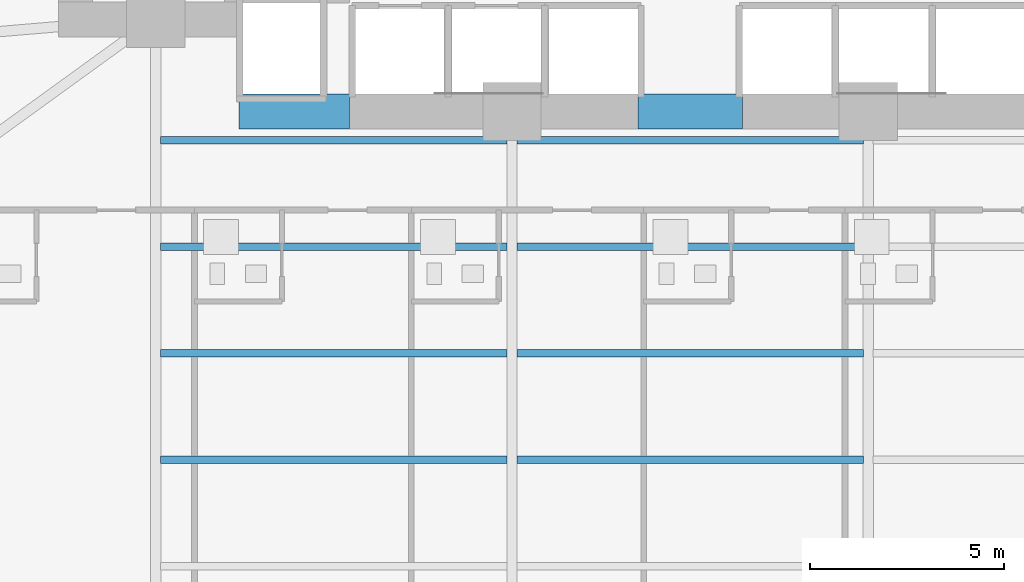
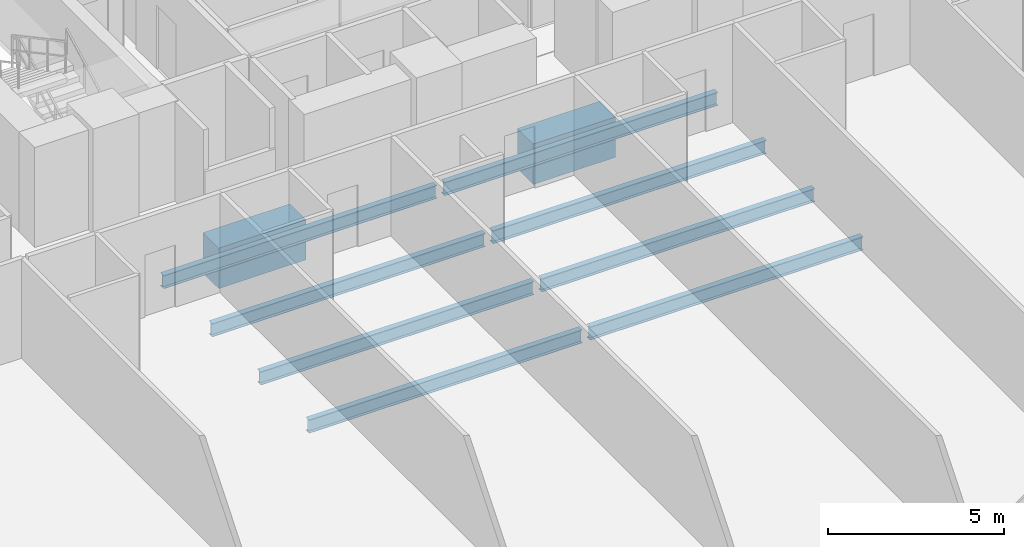
# One storey, part 7 of 28: 10 beams.
"""IFC4 building model written with IfcOpenShell, lengths in metres."""

from ifc_helpers import new_model, si_unit, direction, frame, origin, origin_2d, place, context, subcontext, project, spatial, rectangle, i_section, extrude, material, material_profile, profile_set, type_object, element, save


model = new_model("IFC4")

# Units and contexts
model_context = context("Model", 3, precision=1e-05, world=origin(), true_north=direction((0.0, 1.0)))
body_context = subcontext(model_context, "Body", "Model", "MODEL_VIEW")
ifc_project = project(units=[si_unit("LENGTHUNIT", "METRE"), si_unit("AREAUNIT", "SQUARE_METRE"), si_unit("VOLUMEUNIT", "CUBIC_METRE"), si_unit("PLANEANGLEUNIT", "RADIAN"), si_unit("MASSUNIT", "GRAM", prefix="KILO")], contexts=[model_context])

# Site, building, storey
site_placement = place(None, origin())
site = spatial("IfcSite", under=ifc_project, at=site_placement, CompositionType="ELEMENT")
building_placement = place(site_placement, origin())
building = spatial("IfcBuilding", under=site, at=building_placement, Name="Zuhayl Quay Hotel", CompositionType="ELEMENT")
storey_placement = place(building_placement, frame((0.0, 0.0, 34.89990234375)))
storey = spatial("IfcBuildingStorey", under=building, at=storey_placement, Name="L07", CompositionType="ELEMENT", Elevation=34.89990234375)

# Beams
ifc_material_1 = material(Name="Concrete C60/75", Category="concrete")
ifc_material_profile_1 = material_profile(ifc_material_1, rectangle(XDim=0.89990234375, YDim=1.39990234375, at=origin_2d()), Name="RC900X1400")
ifc_profile_set_1 = profile_set([ifc_material_profile_1], Name="Concrete C60/75")
beam_type_1 = type_object("IfcBeamType", Name="BM_CB1_RC900", PredefinedType="T_BEAM", material=ifc_profile_set_1)
beam_1_placement = place(storey_placement, frame((-11.64990234375, 2.14990234375, -0.919921875), z_axis=(1.0, 0.0, 0.0), x_axis=(0.0, 1.0, 0.0)))
element("IfcBeam", 1, at=beam_1_placement, inside=storey, type_object=beam_type_1, Name="L07 Core Coupling Beam SW", PredefinedType="T_BEAM", context=body_context, shape_type="SweptSolid", body=[
    extrude(rectangle(XDim=0.89990234375, YDim=1.39990234375, at=origin_2d()), origin(), (0.0, 0.0, 1.0), 2.849853515625),
])
beam_2_placement = place(storey_placement, frame((-1.35009765625, 2.14990234375, -0.919921875), z_axis=(1.0, 0.0, 0.0), x_axis=(0.0, 1.0, 0.0)))
element("IfcBeam", 2, at=beam_2_placement, inside=storey, type_object=beam_type_1, Name="L07 Core Coupling Beam South", PredefinedType="T_BEAM", context=body_context, shape_type="SweptSolid", body=[
    extrude(rectangle(XDim=0.89990234375, YDim=1.39990234375, at=origin_2d()), origin(), (0.0, 0.0, 1.0), 2.7001953125),
])
ifc_material_2 = material(Name="Steel ASTM A992 Grade 50", Category="steel")
ifc_material_profile_2 = material_profile(ifc_material_2, i_section(OverallWidth=0.18994140625, OverallDepth=0.45703125, WebThickness=0.009033203125, FlangeThickness=0.014404296875, at=origin_2d()), Name="W18X50")
ifc_profile_set_2 = profile_set([ifc_material_profile_2], Name="Steel ASTM A992 Grade 50")
beam_type_2 = type_object("IfcBeamType", Name="BM_J2_W18X50", PredefinedType="JOIST", material=ifc_profile_set_2)
beam_3_placement = place(storey_placement, frame((-13.674560546875, -6.85009765625, -0.448486328125), z_axis=(1.0, 0.0, 0.0), x_axis=(0.0, 1.0, 0.0)))
element("IfcBeam", 3, at=beam_3_placement, inside=storey, type_object=beam_type_2, Name="L07 Floor Beam FJ_L07_7_1", PredefinedType="JOIST", context=body_context, shape_type="SweptSolid", body=[
    extrude(i_section(OverallWidth=0.18994140625, OverallDepth=0.45703125, WebThickness=0.009033203125, FlangeThickness=0.014404296875, at=origin_2d()), origin(), (0.0, 0.0, 1.0), 8.948974609375),
])
beam_4_placement = place(storey_placement, frame((-4.474609375, -6.85009765625, -0.448486328125), z_axis=(1.0, 0.0, 0.0), x_axis=(0.0, 1.0, 0.0)))
element("IfcBeam", 4, at=beam_4_placement, inside=storey, type_object=beam_type_2, Name="L07 Floor Beam FJ_L07_7_2", PredefinedType="JOIST", context=body_context, shape_type="SweptSolid", body=[
    extrude(i_section(OverallWidth=0.18994140625, OverallDepth=0.45703125, WebThickness=0.009033203125, FlangeThickness=0.014404296875, at=origin_2d()), origin(), (0.0, 0.0, 1.0), 8.94921875),
])
beam_5_placement = place(storey_placement, frame((-13.674560546875, -4.10009765625, -0.448486328125), z_axis=(1.0, 0.0, 0.0), x_axis=(0.0, 1.0, 0.0)))
element("IfcBeam", 5, at=beam_5_placement, inside=storey, type_object=beam_type_2, Name="L07 Floor Beam FJ_L07_8_1", PredefinedType="JOIST", context=body_context, shape_type="SweptSolid", body=[
    extrude(i_section(OverallWidth=0.18994140625, OverallDepth=0.45703125, WebThickness=0.009033203125, FlangeThickness=0.014404296875, at=origin_2d()), origin(), (0.0, 0.0, 1.0), 8.948974609375),
])
beam_6_placement = place(storey_placement, frame((-4.474609375, -4.10009765625, -0.448486328125), z_axis=(1.0, 0.0, 0.0), x_axis=(0.0, 1.0, 0.0)))
element("IfcBeam", 6, at=beam_6_placement, inside=storey, type_object=beam_type_2, Name="L07 Floor Beam FJ_L07_8_2", PredefinedType="JOIST", context=body_context, shape_type="SweptSolid", body=[
    extrude(i_section(OverallWidth=0.18994140625, OverallDepth=0.45703125, WebThickness=0.009033203125, FlangeThickness=0.014404296875, at=origin_2d()), origin(), (0.0, 0.0, 1.0), 8.94921875),
])
beam_7_placement = place(storey_placement, frame((-13.674560546875, -1.35009765625, -0.448486328125), z_axis=(1.0, 0.0, 0.0), x_axis=(0.0, 1.0, 0.0)))
element("IfcBeam", 7, at=beam_7_placement, inside=storey, type_object=beam_type_2, Name="L07 Floor Beam FJ_L07_9_1", PredefinedType="JOIST", context=body_context, shape_type="SweptSolid", body=[
    extrude(i_section(OverallWidth=0.18994140625, OverallDepth=0.45703125, WebThickness=0.009033203125, FlangeThickness=0.014404296875, at=origin_2d()), origin(), (0.0, 0.0, 1.0), 8.948974609375),
])
beam_8_placement = place(storey_placement, frame((-4.474609375, -1.35009765625, -0.448486328125), z_axis=(1.0, 0.0, 0.0), x_axis=(0.0, 1.0, 0.0)))
element("IfcBeam", 8, at=beam_8_placement, inside=storey, type_object=beam_type_2, Name="L07 Floor Beam FJ_L07_9_2", PredefinedType="JOIST", context=body_context, shape_type="SweptSolid", body=[
    extrude(i_section(OverallWidth=0.18994140625, OverallDepth=0.45703125, WebThickness=0.009033203125, FlangeThickness=0.014404296875, at=origin_2d()), origin(), (0.0, 0.0, 1.0), 8.94921875),
])
beam_9_placement = place(storey_placement, frame((-13.674560546875, 1.39990234375, -0.448486328125), z_axis=(1.0, 0.0, 0.0), x_axis=(0.0, 1.0, 0.0)))
element("IfcBeam", 9, at=beam_9_placement, inside=storey, type_object=beam_type_2, Name="L07 Floor Beam FJ_L07_10_1", PredefinedType="JOIST", context=body_context, shape_type="SweptSolid", body=[
    extrude(i_section(OverallWidth=0.18994140625, OverallDepth=0.45703125, WebThickness=0.009033203125, FlangeThickness=0.014404296875, at=origin_2d()), origin(), (0.0, 0.0, 1.0), 8.948974609375),
])
beam_10_placement = place(storey_placement, frame((-4.474609375, 1.39990234375, -0.448486328125), z_axis=(1.0, 0.0, 0.0), x_axis=(0.0, 1.0, 0.0)))
element("IfcBeam", 10, at=beam_10_placement, inside=storey, type_object=beam_type_2, Name="L07 Floor Beam FJ_L07_10_2", PredefinedType="JOIST", context=body_context, shape_type="SweptSolid", body=[
    extrude(i_section(OverallWidth=0.18994140625, OverallDepth=0.45703125, WebThickness=0.009033203125, FlangeThickness=0.014404296875, at=origin_2d()), origin(), (0.0, 0.0, 1.0), 8.94921875),
])

save(model, "model.ifc")
